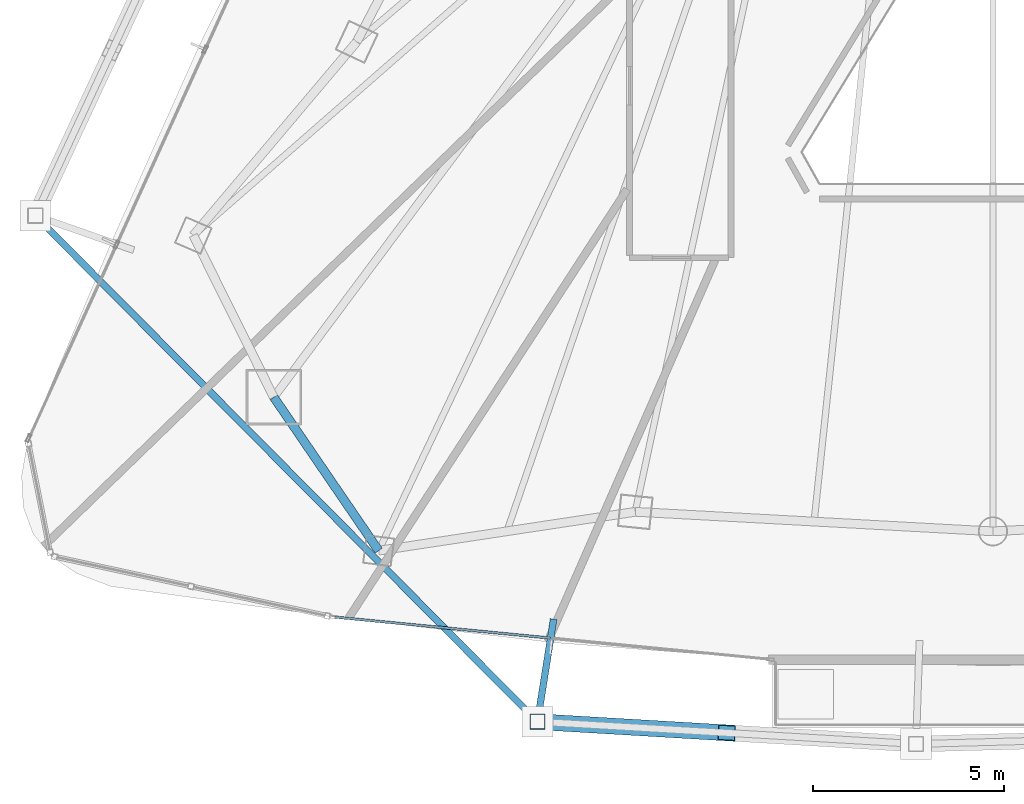
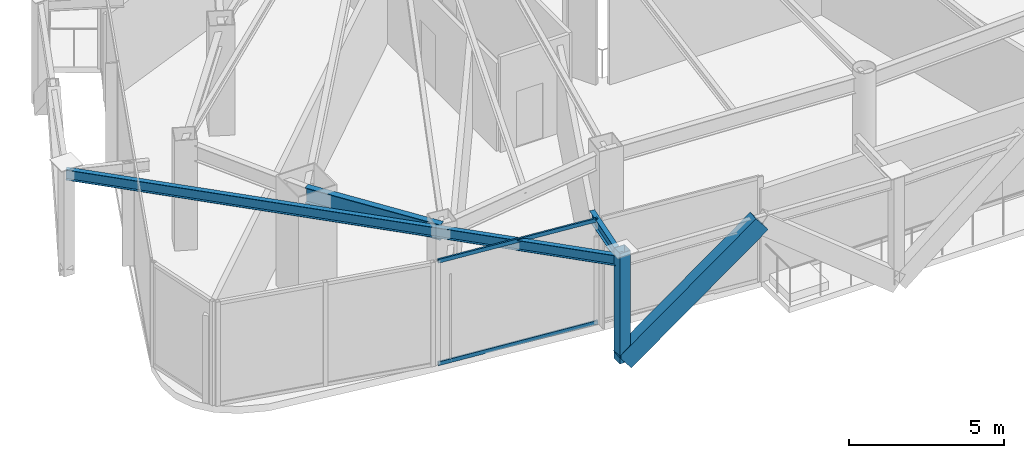
# One storey, part 3 of 28: 4 members, 3 beams, 1 element without a shape of its own.
"""IFC4 building model written with IfcOpenShell, lengths in metres."""

from ifc_helpers import new_model, si_unit, direction, frame, origin, origin_2d, place, context, subcontext, project, spatial, hollow_rectangle, i_section, extrude, material, layer, layer_set, material_profile, profile_set, type_object, element, aggregate, save


model = new_model("IFC4")

# Units and contexts
model_context = context("Model", 3, precision=1e-05, world=origin(), true_north=direction((0.0, 1.0)))
body_context = subcontext(model_context, "Body", "Model", "MODEL_VIEW")
ifc_project = project(units=[si_unit("LENGTHUNIT", "METRE"), si_unit("AREAUNIT", "SQUARE_METRE"), si_unit("VOLUMEUNIT", "CUBIC_METRE"), si_unit("PLANEANGLEUNIT", "RADIAN"), si_unit("MASSUNIT", "GRAM", prefix="KILO")], contexts=[model_context])

# Site, building, storey
site_placement = place(None, origin())
site = spatial("IfcSite", under=ifc_project, at=site_placement, CompositionType="ELEMENT")
building_placement = place(site_placement, origin())
building = spatial("IfcBuilding", under=site, at=building_placement, Name="Orvanel Arch Residences", CompositionType="ELEMENT")
storey_placement = place(building_placement, frame((0.0, 0.0, 146.300048828125)))
storey = spatial("IfcBuildingStorey", under=building, at=storey_placement, Name="L41", CompositionType="ELEMENT", Elevation=146.300048828125)

# Member
ifc_material_1 = material(Name="Structural steel AS/NZS 3678 Grade 350", Category="steel")
ifc_material_profile_1 = material_profile(ifc_material_1, hollow_rectangle(XDim=0.419921875, YDim=0.719970703125, WallThickness=0.02490234375, at=origin_2d()), Name="RHS720x420x25")
ifc_profile_set_1 = profile_set([ifc_material_profile_1], Name="Structural steel AS/NZS 3678 Grade 350")
member_type_1 = type_object("IfcMemberType", Name="BR-720RHS-EXT", PredefinedType="BRACE", material=ifc_profile_set_1)
member_1_placement = place(storey_placement, frame((21.092041015625, 1.867919921875, 0.0), z_axis=(0.784056040349, -0.046105017024, 0.618975325031), x_axis=(0.058701813898, 0.998275561679, 0.0)))
element("IfcMember", 1, at=member_1_placement, inside=storey, type_object=member_type_1, Name="L41 Exterior Sky-Garden V-Frame Chevron F2B1.1", PredefinedType="BRACE", context=body_context, shape_type="SweptSolid", body=[
    extrude(hollow_rectangle(XDim=0.419921875, YDim=0.719970703125, WallThickness=0.02490234375, at=origin_2d()), origin(), (0.0, 0.0, 1.0), 6.31201171875),
])

# Beams
ifc_material_2 = material(Name="Structural steel AS/NZS 3679.1 Grade 300 (300 MPa)", Category="steel")
ifc_material_profile_2 = material_profile(ifc_material_2, i_section(OverallWidth=0.177978515625, OverallDepth=0.406005859375, WebThickness=0.0078125, FlangeThickness=0.0126953125, at=origin_2d()), Name="410UB59.7")
ifc_profile_set_2 = profile_set([ifc_material_profile_2], Name="Structural steel AS/NZS 3679.1 Grade 300 (300 MPa)")
beam_type_1 = type_object("IfcBeamType", Name="OB-410UB-EXT", PredefinedType="SPANDREL", material=ifc_profile_set_2)
beam_1_placement = place(storey_placement, frame((7.964111328125, 15.096923828125, 3.906982421875), z_axis=(0.704389971351, -0.709813192509, 0.0), x_axis=(0.709813192509, 0.704389971351, 0.0)))
element("IfcBeam", 2, at=beam_1_placement, inside=storey, type_object=beam_type_1, Name="L41 Outer Perimeter Floor Ring Beam 04", PredefinedType="SPANDREL", context=body_context, shape_type="SweptSolid", body=[
    extrude(i_section(OverallWidth=0.177978515625, OverallDepth=0.406005859375, WebThickness=0.0078125, FlangeThickness=0.0126953125, at=origin_2d()), origin(), (0.0, 0.0, 1.0), 18.63720703125),
])
beam_2_placement = place(storey_placement, frame((21.514892578125, 4.549072265625, 3.906982421875), z_axis=(-0.155787054106, -0.987790662931, 0.0), x_axis=(0.987790662931, -0.155787054106, 0.0)))
element("IfcBeam", 3, at=beam_2_placement, inside=storey, type_object=beam_type_1, Name="L41 Outer Frame Radial Tie Beam 05", PredefinedType="SPANDREL", context=body_context, shape_type="SweptSolid", body=[
    extrude(i_section(OverallWidth=0.177978515625, OverallDepth=0.406005859375, WebThickness=0.0078125, FlangeThickness=0.0126953125, at=origin_2d()), origin(), (0.0, 0.0, 1.0), 2.71435546875),
])
ifc_material_profile_3 = material_profile(ifc_material_2, i_section(OverallWidth=0.22900390625, OverallDepth=0.612060546875, WebThickness=0.011962890625, FlangeThickness=0.01953125, at=origin_2d()), Name="610UB125")
ifc_profile_set_3 = profile_set([ifc_material_profile_3], Name="Structural steel AS/NZS 3679.1 Grade 300 (300 MPa)")
beam_type_2 = type_object("IfcBeamType", Name="SP-610UB", PredefinedType="SPANDREL", material=ifc_profile_set_3)
beam_3_placement = place(storey_placement, frame((14.198974609375, 10.35107421875, 3.803955078125), z_axis=(0.564251579852, -0.825602903722, 0.0), x_axis=(0.825602903722, 0.564251579852, 0.0)))
element("IfcBeam", 4, at=beam_3_placement, inside=storey, type_object=beam_type_2, Name="L41 Perimeter Spandrel Beam 03", PredefinedType="SPANDREL", context=body_context, shape_type="SweptSolid", body=[
    extrude(i_section(OverallWidth=0.22900390625, OverallDepth=0.612060546875, WebThickness=0.011962890625, FlangeThickness=0.01953125, at=origin_2d()), origin(), (0.0, 0.0, 1.0), 4.859375),
])

# Member
ifc_material_3 = material(Name="Structural steel AS/NZS 1163 C450L0 (Grade 450)", Category="steel")
ifc_material_profile_4 = material_profile(ifc_material_3, hollow_rectangle(XDim=0.39990234375, YDim=0.39990234375, WallThickness=0.01611328125, at=origin_2d()), Name="SHS400x400x16")
ifc_profile_set_4 = profile_set([ifc_material_profile_4], Name="Structural steel AS/NZS 1163 C450L0 (Grade 450)")
member_type_2 = type_object("IfcMemberType", Name="ST-400SHS-EXT", PredefinedType="STRUT", material=ifc_profile_set_4)
member_2_placement = place(storey_placement, frame((21.092041015625, 1.867919921875, 0.0), z_axis=(0.0, 0.0, 1.0), x_axis=(1.0, 0.0, 0.0)))
element("IfcMember", 5, at=member_2_placement, inside=storey, type_object=member_type_2, Name="L41 Outer Perimeter Frame Post 05", PredefinedType="STRUT", context=body_context, shape_type="SweptSolid", body=[
    extrude(hollow_rectangle(XDim=0.39990234375, YDim=0.39990234375, WallThickness=0.01611328125, at=origin_2d()), origin(), (0.0, 0.0, 1.0), 4.349853515625),
])

# Curtain wall, members
ifc_material_4 = material(Name="Bronze-anodised aluminium AA6063-T6", Category="aluminium")
ifc_layer = layer(ifc_material_4, 0.195068359375)
ifc_layer_set = layer_set([ifc_layer], Name="Bronze-anodised aluminium AA6063-T6")
curtain_wall_type = type_object("IfcCurtainWallType", Name="CW6-COM-SYS", PredefinedType="NOTDEFINED", material=ifc_layer_set)
curtain_wall_placement = place(storey_placement, origin())
curtain_wall = element("IfcCurtainWall", 6, at=curtain_wall_placement, inside=storey, type_object=curtain_wall_type, Name="L41 CW6-COM-SYS Unitised Curtain Wall", PredefinedType="NOTDEFINED")
ifc_material_profile_5 = material_profile(ifc_material_4, hollow_rectangle(XDim=0.06494140625, YDim=0.14990234375, WallThickness=0.00390625, at=origin_2d()), Name="ALU150x65x4")
ifc_profile_set_5 = profile_set([ifc_material_profile_5], Name="Bronze-anodised aluminium AA6063-T6")
member_type_3 = type_object("IfcMemberType", Name="TRN-150x65", PredefinedType="USERDEFINED", material=ifc_profile_set_5)
member_3_placement = place(storey_placement, frame((15.791748046875, 4.602783203125, 0.032470703125), z_axis=(0.995295445931, -0.096886404151, 0.0), x_axis=(0.096886404151, 0.995295445931, 0.0)))
member_3 = element("IfcMember", 7, at=member_3_placement, type_object=member_type_3, Name="CW-S6 transom 1.1", ObjectType="TRANSOM", PredefinedType="USERDEFINED", context=body_context, shape_type="SweptSolid", body=[
    extrude(hollow_rectangle(XDim=0.06494140625, YDim=0.14990234375, WallThickness=0.00390625, at=origin_2d()), origin(), (0.0, 0.0, 1.0), 5.662109375),
])
member_4_placement = place(storey_placement, frame((15.791748046875, 4.602783203125, 4.077392578125), z_axis=(0.995295445931, -0.096886404151, 0.0), x_axis=(0.096886404151, 0.995295445931, 0.0)))
member_4 = element("IfcMember", 8, at=member_4_placement, type_object=member_type_3, Name="CW-S6 transom 1.2", ObjectType="TRANSOM", PredefinedType="USERDEFINED", context=body_context, shape_type="SweptSolid", body=[
    extrude(hollow_rectangle(XDim=0.06494140625, YDim=0.14990234375, WallThickness=0.00390625, at=origin_2d()), origin(), (0.0, 0.0, 1.0), 5.662109375),
])
aggregate(curtain_wall, [member_3, member_4])

save(model, "model.ifc")
